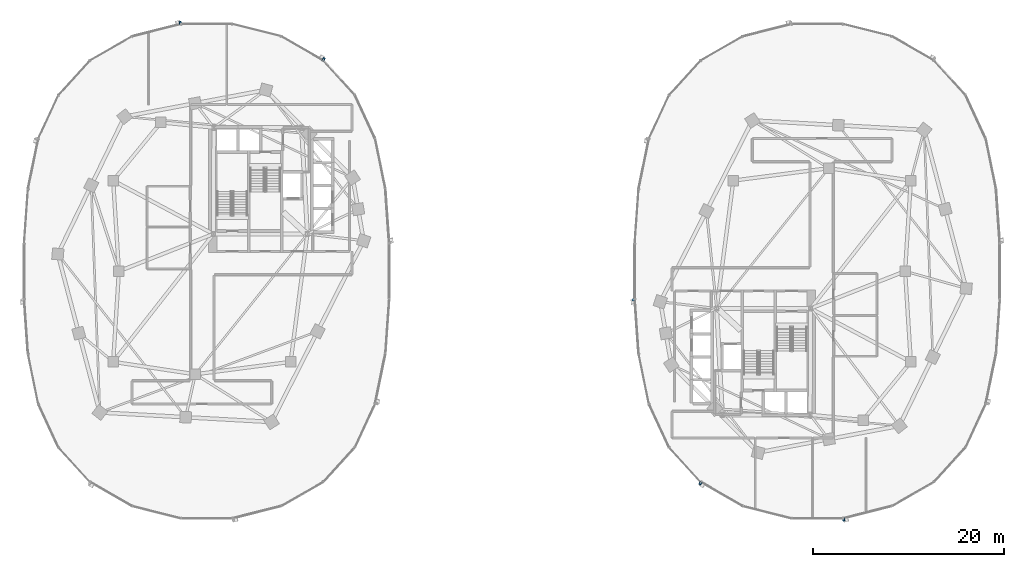
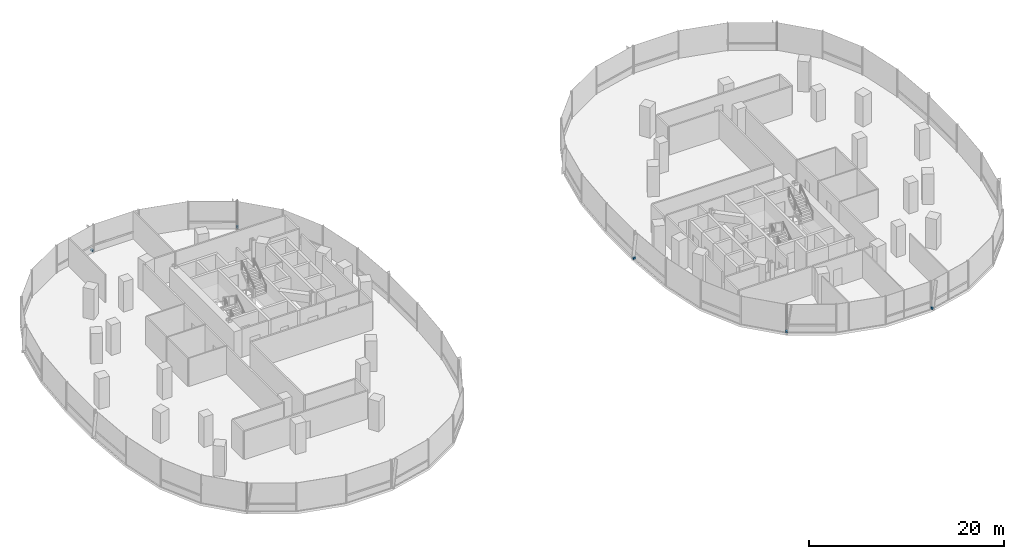
# One storey, part 15 of 21: 5 discrete accessories.
"""IFC4 building model written with IfcOpenShell, lengths in metres."""

from ifc_helpers import new_model, si_unit, direction, frame, origin, origin_2d, place, context, subcontext, project, spatial, rectangle, extrude, material, type_object, element, save


model = new_model("IFC4")

# Units and contexts
model_context = context("Model", 3, precision=1e-05, world=origin(), true_north=direction((0.0, 1.0)))
body_context = subcontext(model_context, "Body", "Model", "MODEL_VIEW")
ifc_project = project(units=[si_unit("LENGTHUNIT", "METRE"), si_unit("AREAUNIT", "SQUARE_METRE"), si_unit("VOLUMEUNIT", "CUBIC_METRE"), si_unit("PLANEANGLEUNIT", "RADIAN"), si_unit("MASSUNIT", "GRAM", prefix="KILO"), si_unit("THERMODYNAMICTEMPERATUREUNIT", "KELVIN"), si_unit("POWERUNIT", "WATT")], contexts=[model_context])

# Site, building, storey
site_placement = place(None, origin())
site = spatial("IfcSite", under=ifc_project, at=site_placement, CompositionType="ELEMENT")
building_placement = place(site_placement, origin())
building = spatial("IfcBuilding", under=site, at=building_placement, Name="Cundina Bronze Exchange", CompositionType="ELEMENT")
storey_placement = place(building_placement, frame((0.0, 0.0, 73.39990234375)))
storey = spatial("IfcBuildingStorey", under=building, at=storey_placement, Name="L18", CompositionType="ELEMENT", Elevation=73.39990234375)

# Discrete accessories
ifc_material = material(Name="Anodised Bronze Aluminium 6063-T6", Category="aluminium")
discrete_accessory_type = type_object("IfcDiscreteAccessoryType", Name="ACC-BRK-FIN", PredefinedType="BRACKET", material=ifc_material)
for number, where, z_axis, x_axis, name in (
    (1, (-19.740478515625, 22.21875, 0.10009765625), (0.0, 0.0, 1.0), (-0.867105478933, 0.498124571171, 0.0), "L18 Fin Support Bracket 5"),
    (2, (-34.76025390625, 26.03173828125, 0.10009765625), (0.0, 0.0, 1.0), (-0.969488149345, -0.245138182011, 0.0), "L18 Fin Support Bracket 1"),
    (3, (12.735595703125, -2.986083984375, 0.10009765625), (0.0, 0.0, 1.0), (0.070278787473, -0.997527389113, 0.0), "L18 Fin Support Bracket 1"),
    (4, (19.740478515625, -22.21875, 0.10009765625), (0.0, 0.0, 1.0), (0.867105478933, -0.498124571171, 0.0), "L18 Fin Support Bracket 5"),
    (5, (34.76025390625, -26.03173828125, 0.10009765625), (0.0, 0.0, 1.0), (0.969488149345, 0.245138182011, 0.0), "L18 Fin Support Bracket 1"),
):
    element("IfcDiscreteAccessory", number, at=place(storey_placement, frame(where, z_axis=z_axis, x_axis=x_axis)), inside=storey, type_object=discrete_accessory_type, Name=name, PredefinedType="BRACKET", context=body_context, shape_type="SweptSolid", body=[
        extrude(rectangle(XDim=0.219970703125, YDim=0.320068359375, at=origin_2d()), origin(), (0.0, 0.0, 1.0), 0.239990234375),
    ])

save(model, "model.ifc")
